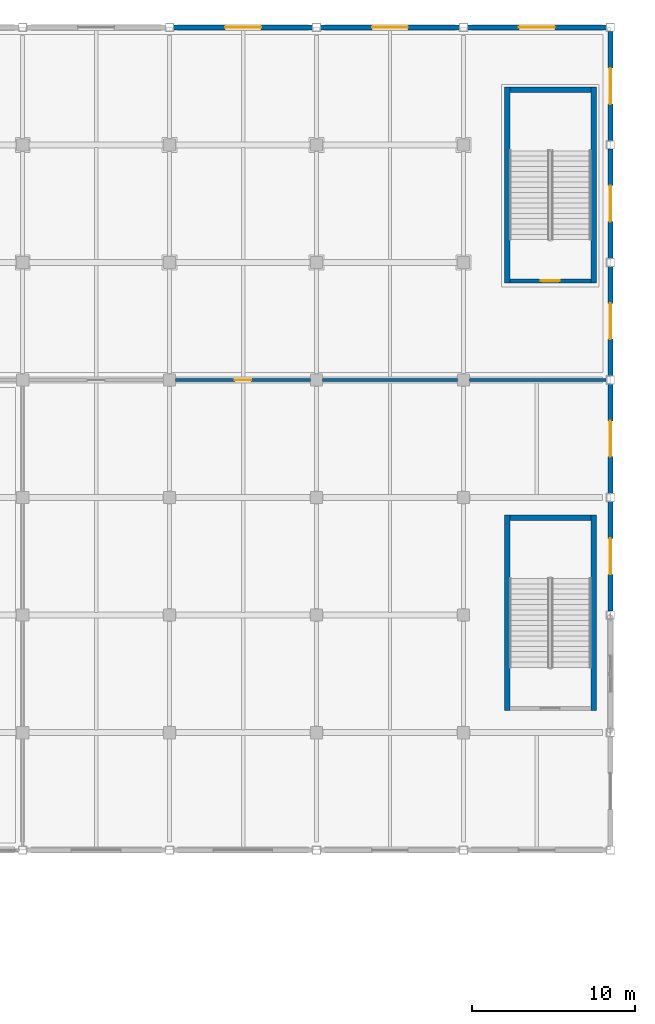
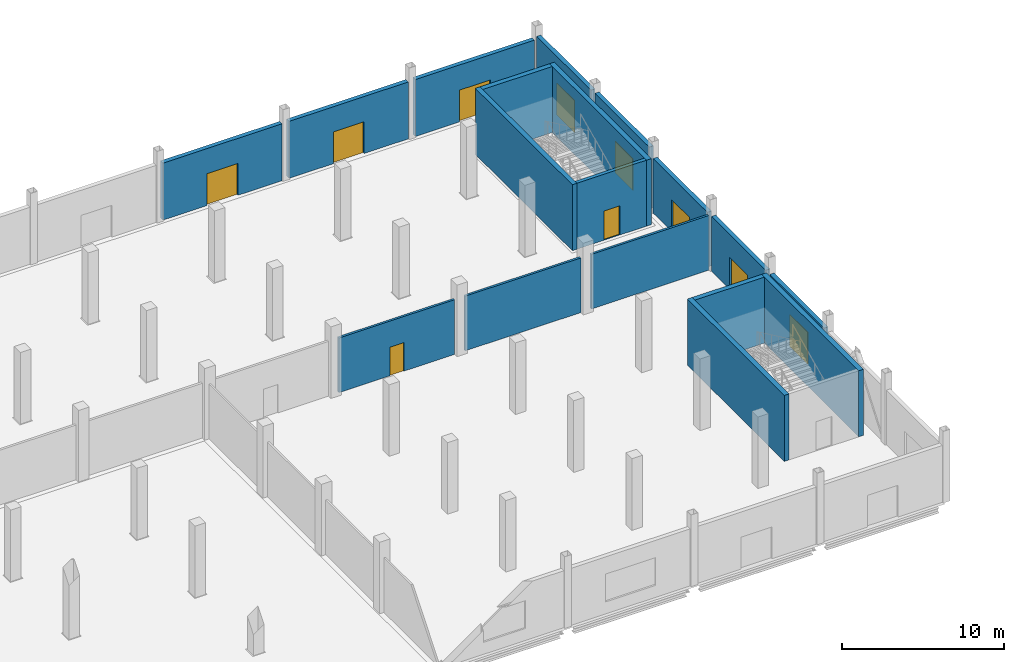
# One storey, part 100 of 137: 18 walls, 10 doors, 10 openings.
"""IFC4 building model written with IfcOpenShell, lengths in metres."""

import ifcopenshell
import ifcopenshell.guid

model = None  # the IFC model being written
_history = None  # IfcOwnerHistory: only IFC2X3 demands one
_inside = {}  # id of a spatial element -> (the spatial element, [elements in it])
_under = {}  # id of a project, library or spatial element -> (it, [spatial elements below it])
_declared = {}  # id of a project -> (the project, [libraries it declares])
_typed = {}  # id of a type object -> (the type object, [elements of that type])
_made_of = {}  # id of a material, layer set ... -> (it, [elements and type objects made of it])


def new_model(schema):
    """Start an empty IFC model of exactly this schema.

    Asked for "IFC4X3", IfcOpenShell would pick the latest addendum, in which some entities
    have other attributes; the version numbers below select the first issue.
    IFC2X3 requires an IfcOwnerHistory on every rooted entity: one is made here for all.
    """
    global model, _history
    if schema == "IFC4X3":
        model = ifcopenshell.file(schema_version=(4, 3, 0, 0))
    else:
        model = ifcopenshell.file(schema=schema)
    _inside.clear()
    _under.clear()
    _declared.clear()
    _typed.clear()
    _made_of.clear()
    _history = None
    if model.schema == "IFC2X3":
        org = make("IfcOrganization", Name="unknown")
        user = make(
            "IfcPersonAndOrganization",
            ThePerson=make("IfcPerson", FamilyName="unknown"),
            TheOrganization=org,
        )
        app = make(
            "IfcApplication",
            ApplicationDeveloper=org,
            Version="unknown",
            ApplicationFullName="unknown",
            ApplicationIdentifier="unknown",
        )
        _history = make(
            "IfcOwnerHistory",
            OwningUser=user,
            OwningApplication=app,
            ChangeAction="ADDED",
            CreationDate=0,
        )
    return model


def make(cls, **values):
    """One entity of the class cls with the attributes given. An attribute that is None is left unset."""
    return model.create_entity(
        cls, **{name: value for name, value in values.items() if value is not None}
    )


def rooted(cls, **values):
    """An entity with a GlobalId (a new one), such as an element, a storey or a relation."""
    return make(cls, GlobalId=ifcopenshell.guid.new(), OwnerHistory=_history, **values)


def si_unit(unit_type, name, prefix=None):
    """IfcSIUnit, for example si_unit("LENGTHUNIT", "METRE", prefix="MILLI")."""
    return make("IfcSIUnit", UnitType=unit_type, Prefix=prefix, Name=name)


def assignment(units):
    """IfcUnitAssignment: the units of a project."""
    return None if units is None else make("IfcUnitAssignment", Units=units)


def point(xyz):
    """IfcCartesianPoint."""
    return None if xyz is None else make("IfcCartesianPoint", Coordinates=xyz)


def direction(xyz):
    """IfcDirection."""
    return None if xyz is None else make("IfcDirection", DirectionRatios=xyz)


def frame(location, z_axis=None, x_axis=None):
    """IfcAxis2Placement3D, a coordinate frame: its origin and axes. An axis left out is left unset."""
    return make(
        "IfcAxis2Placement3D",
        Location=point(location),
        Axis=direction(z_axis),
        RefDirection=direction(x_axis),
    )


def frame_2d(location, x_axis=None):
    """IfcAxis2Placement2D, a coordinate frame in the plane: its origin and x axis."""
    return make(
        "IfcAxis2Placement2D", Location=point(location), RefDirection=direction(x_axis)
    )


def origin():
    """The frame at (0, 0, 0) with its axes left unset."""
    return frame((0.0, 0.0, 0.0))


def place(relative_to, where):
    """IfcLocalPlacement: puts the frame where relative to a parent placement (None: the world)."""
    return make(
        "IfcLocalPlacement", PlacementRelTo=relative_to, RelativePlacement=where
    )


def context(
    kind, dimensions, precision=None, world=None, true_north=None, identifier=None
):
    """IfcGeometricRepresentationContext, for example the 3D "Model" context."""
    return make(
        "IfcGeometricRepresentationContext",
        ContextIdentifier=identifier,
        ContextType=kind,
        CoordinateSpaceDimension=dimensions,
        Precision=precision,
        WorldCoordinateSystem=world,
        TrueNorth=true_north,
    )


def subcontext(parent, identifier, kind, view, scale=None):
    """IfcGeometricRepresentationSubContext, for example "Body" below "Model"."""
    return make(
        "IfcGeometricRepresentationSubContext",
        ContextIdentifier=identifier,
        ContextType=kind,
        ParentContext=parent,
        TargetScale=scale,
        TargetView=view,
    )


def project(units=None, contexts=None):
    """IfcProject with its units and contexts."""
    return rooted(
        "IfcProject",
        Name="project",
        RepresentationContexts=contexts,
        UnitsInContext=assignment(units),
    )


def spatial(cls, under=None, at=None, **own):
    """A site, building, storey or space (cls), placed at a placement, below another one or the project."""
    s = rooted(cls, ObjectPlacement=at, **own)
    if under is not None:
        _under.setdefault(under.id(), (under, []))[1].append(s)
    return s


def profile(cls, at=None, kind="AREA", **sizes):
    """A parametric profile (cls). Its sizes go by their IFC names, for example OverallWidth=200.0."""
    return make(cls, ProfileType=kind, Position=at, **sizes)


def rectangle(**sizes):
    """IfcRectangleProfileDef."""
    return profile("IfcRectangleProfileDef", **sizes)


def extrude(swept, where, along, depth):
    """IfcExtrudedAreaSolid: the profile swept, set in the frame where, extruded along a direction by depth."""
    return make(
        "IfcExtrudedAreaSolid",
        SweptArea=swept,
        Position=where,
        ExtrudedDirection=direction(along),
        Depth=depth,
    )


def shape(context_of_items, identifier, shape_type, items):
    """IfcShapeRepresentation: the items that make up one representation, for example the "Body"."""
    return make(
        "IfcShapeRepresentation",
        ContextOfItems=context_of_items,
        RepresentationIdentifier=identifier,
        RepresentationType=shape_type,
        Items=items,
    )


def material(Name=None, Category=None):
    """IfcMaterial."""
    return make("IfcMaterial", Name=Name, Category=Category)


def layer(
    of_material, thickness, ventilated=None, Name=None, Category=None, Priority=None
):
    """IfcMaterialLayer: one layer of a wall or slab, of a material (None: an air gap)."""
    return make(
        "IfcMaterialLayer",
        Material=of_material,
        LayerThickness=thickness,
        IsVentilated=ventilated,
        Name=Name,
        Category=Category,
        Priority=Priority,
    )


def layer_set(layers, Name=None):
    """IfcMaterialLayerSet."""
    return make("IfcMaterialLayerSet", MaterialLayers=layers, LayerSetName=Name)


def made_of(thing, what):
    """Note that an element or type object is made of a material, layer set ...; save() writes the relation."""
    if what is not None:
        _made_of.setdefault(what.id(), (what, []))[1].append(thing)
    return thing


def type_object(cls, material=None, **own):
    """A type object (cls), such as IfcWallType, which elements share."""
    return made_of(rooted(cls, **own), material)


def element(
    cls,
    number,
    at=None,
    inside=None,
    cuts=None,
    type_object=None,
    material=None,
    context=None,
    identifier="Body",
    shape_type=None,
    held_by="IfcProductDefinitionShape",
    body=None,
    shapes=None,
    **own,
):
    """One element of the class cls, such as IfcWall. Its Tag is "e" and its number.

    at: its placement. inside: the storey or other place that contains it. cuts: it is an
    opening in that element (IfcRelVoidsElement). A single representation is given by context,
    identifier, shape_type and body (its items); several are given by shapes. held_by: the class
    of the entity that holds the representations. save() writes the other relations.
    """
    e = rooted(cls, Tag="e%d" % number, ObjectPlacement=at, **own)
    if body is not None:
        shapes = [shape(context, identifier, shape_type, body)]
    if shapes is not None:
        e.Representation = make(held_by, Representations=shapes)
    if inside is not None:
        _inside.setdefault(inside.id(), (inside, []))[1].append(e)
    if cuts is not None:
        rooted(
            "IfcRelVoidsElement", RelatingBuildingElement=cuts, RelatedOpeningElement=e
        )
    if type_object is not None:
        _typed.setdefault(type_object.id(), (type_object, []))[1].append(e)
    return made_of(e, material)


def fill(opening, filler):
    """IfcRelFillsElement: the door or window that sits in an opening."""
    return rooted(
        "IfcRelFillsElement",
        RelatingOpeningElement=opening,
        RelatedBuildingElement=filler,
    )


def aggregate(whole, parts):
    """IfcRelAggregates: a whole, such as a stair, and the parts it consists of."""
    return rooted("IfcRelAggregates", RelatingObject=whole, RelatedObjects=parts)


def save(model, path):
    """Write the relations noted so far, then the file.

    IfcRelAggregates (storeys below a building ...), IfcRelContainedInSpatialStructure (elements
    in a storey), IfcRelDefinesByType, IfcRelAssociatesMaterial and IfcRelDeclares: one each for
    every whole, place, type object, material and project.
    """
    for whole, parts in _under.values():
        aggregate(whole, parts)
    for where, things in _inside.values():
        rooted(
            "IfcRelContainedInSpatialStructure",
            RelatedElements=things,
            RelatingStructure=where,
        )
    for kind, things in _typed.values():
        rooted("IfcRelDefinesByType", RelatedObjects=things, RelatingType=kind)
    for what, things in _made_of.values():
        rooted("IfcRelAssociatesMaterial", RelatedObjects=things, RelatingMaterial=what)
    for by, libraries in _declared.values():
        rooted("IfcRelDeclares", RelatingContext=by, RelatedDefinitions=libraries)
    model.write(path)


model = new_model("IFC4")

# Units and contexts
model_context = context("Model", 3, precision=1e-05, world=origin(), true_north=direction((0.0, 1.0)))
body_context = subcontext(model_context, "Body", "Model", "MODEL_VIEW")
ifc_project = project(units=[si_unit("LENGTHUNIT", "METRE"), si_unit("AREAUNIT", "SQUARE_METRE"), si_unit("VOLUMEUNIT", "CUBIC_METRE"), si_unit("PLANEANGLEUNIT", "RADIAN"), si_unit("MASSUNIT", "GRAM", prefix="KILO")], contexts=[model_context])

# Site, building, storey
site_placement = place(None, origin())
site = spatial("IfcSite", under=ifc_project, at=site_placement, CompositionType="ELEMENT")
building_placement = place(site_placement, origin())
building = spatial("IfcBuilding", under=site, at=building_placement, Name="Celestram Park Convention Centre", CompositionType="ELEMENT")
storey_placement = place(building_placement, origin())
storey = spatial("IfcBuildingStorey", under=building, at=storey_placement, Name="L00", CompositionType="ELEMENT", Elevation=0.0)

# Wall, opening, door
ifc_material_1 = material(Name="Concrete Block Masonry C25/30", Category="masonry")
ifc_layer_1 = layer(ifc_material_1, 0.25)
ifc_layer_set_1 = layer_set([ifc_layer_1], Name="Concrete Block Masonry C25/30")
wall_type_1 = type_object("IfcWallType", Name="ARC-WL-COR250", PredefinedType="STANDARD", material=ifc_layer_set_1)
wall_1_placement = place(storey_placement, frame((214.800048828125, 150.074951171875, 0.0), z_axis=(0.0, 0.0, 1.0), x_axis=(-1.0, 0.0, 0.0)))
wall_1 = element("IfcWall", 1, at=wall_1_placement, inside=storey, type_object=wall_type_1, Name="Core S07 stair entrance wall", PredefinedType="STANDARD", context=body_context, shape_type="SweptSolid", body=[
    extrude(rectangle(XDim=4.9599609375, YDim=0.25, at=frame_2d((2.47998046875, 0.0))), origin(), (0.0, 0.0, 1.0), 4.97998046875),
])
opening_1_placement = place(wall_1_placement, frame((1.905029296875, 0.0, 0.0)))
opening_1 = element("IfcOpeningElement", 2, at=opening_1_placement, cuts=wall_1, Name="Opening D-ST1", PredefinedType="OPENING", context=body_context, shape_type="SweptSolid", body=[
    extrude(rectangle(XDim=1.14990234375, YDim=2.199951171875, at=frame_2d((0.574951171875, 1.10009765625))), frame((0.0, 0.135009765625, 0.0), z_axis=(0.0, -1.0, 0.0), x_axis=(1.0, 0.0, 0.0)), (0.0, 0.0, 1.0), 0.27001953125),
])
ifc_material_2 = material(Name="Fire-Rated Hollow Metal Steel ASTM A653", Category="steel")
door_type_1 = type_object("IfcDoorType", Name="ARC-DR-ST115", OperationType="NOTDEFINED", PredefinedType="DOOR", material=ifc_material_2)
door_1_placement = place(opening_1_placement, origin())
door_1 = element("IfcDoor", 3, at=door_1_placement, inside=storey, type_object=door_type_1, Name="Exit stair ST-07 fire door", OperationType="SINGLE_SWING_LEFT", OverallHeight=2.199951171875, OverallWidth=1.14990234375, PredefinedType="DOOR", context=body_context, shape_type="SweptSolid", body=[
    extrude(rectangle(XDim=1.14990234375, YDim=2.199951171875, at=frame_2d((0.574951171875, 1.10009765625))), frame((0.0, 0.02490234375, 0.0), z_axis=(0.0, -1.0, 0.0), x_axis=(1.0, 0.0, 0.0)), (0.0, 0.0, 1.0), 0.050048828125),
])
fill(opening_1, door_1)

ifc_material_3 = material(Name="Precast Concrete C40/50", Category="concrete")
ifc_layer_2 = layer(ifc_material_3, 0.300048828125)
ifc_layer_set_2 = layer_set([ifc_layer_2], Name="Precast Concrete C40/50")
wall_type_2 = type_object("IfcWallType", Name="ARC-WL-EXT300", PredefinedType="STANDARD", material=ifc_layer_set_2)
wall_2_placement = place(storey_placement, frame((189.248046875, 165.60009765625, 0.0), z_axis=(0.0, 0.0, 1.0), x_axis=(1.0, 0.0, 0.0)))
wall_2 = element("IfcWall", 4, at=wall_2_placement, inside=storey, type_object=wall_type_2, Name="Bush-hammered precast exterior wall WL-L00-EW042", PredefinedType="STANDARD", context=body_context, shape_type="SweptSolid", body=[
    extrude(rectangle(XDim=8.50390625, YDim=0.300048828125, at=frame_2d((4.251953125, 0.0))), origin(), (0.0, 0.0, 1.0), 4.297119140625),
])
opening_2_placement = place(wall_2_placement, frame((3.152099609375, 0.0, 0.0)))
opening_2 = element("IfcOpeningElement", 5, at=opening_2_placement, cuts=wall_2, Name="Opening D-EX1", PredefinedType="OPENING", context=body_context, shape_type="SweptSolid", body=[
    extrude(rectangle(XDim=2.199951171875, YDim=2.39990234375, at=frame_2d((1.10009765625, 1.199951171875))), frame((0.0, 0.159912109375, 0.0), z_axis=(0.0, -1.0, 0.0), x_axis=(1.0, 0.0, 0.0)), (0.0, 0.0, 1.0), 0.320068359375),
])
ifc_material_4 = material(Name="Anodised Aluminium & Tempered Glass", Category="aluminium")
door_type_2 = type_object("IfcDoorType", Name="ARC-DR-EX2200", OperationType="NOTDEFINED", PredefinedType="DOOR", material=ifc_material_4)
door_2_placement = place(opening_2_placement, origin())
door_2 = element("IfcDoor", 6, at=door_2_placement, inside=storey, type_object=door_type_2, Name="Ground egress exit door DR-L00-EX41", OperationType="DOUBLE_DOOR_SINGLE_SWING", OverallHeight=2.39990234375, OverallWidth=2.199951171875, PredefinedType="DOOR", context=body_context, shape_type="SweptSolid", body=[
    extrude(rectangle(XDim=2.199951171875, YDim=2.39990234375, at=frame_2d((1.10009765625, 1.199951171875))), frame((0.0, 0.02490234375, 0.0), z_axis=(0.0, -1.0, 0.0), x_axis=(1.0, 0.0, 0.0)), (0.0, 0.0, 1.0), 0.050048828125),
])
fill(opening_2, door_2)

wall_3_placement = place(storey_placement, frame((198.248046875, 165.60009765625, 0.0), z_axis=(0.0, 0.0, 1.0), x_axis=(1.0, 0.0, 0.0)))
wall_3 = element("IfcWall", 7, at=wall_3_placement, inside=storey, type_object=wall_type_2, Name="Bush-hammered precast exterior wall WL-L00-EW043", PredefinedType="STANDARD", context=body_context, shape_type="SweptSolid", body=[
    extrude(rectangle(XDim=8.50390625, YDim=0.300048828125, at=frame_2d((4.251953125, 0.0))), origin(), (0.0, 0.0, 1.0), 4.297119140625),
])
opening_3_placement = place(wall_3_placement, frame((3.152099609375, 0.0, 0.0)))
opening_3 = element("IfcOpeningElement", 8, at=opening_3_placement, cuts=wall_3, Name="Opening D-EX1", PredefinedType="OPENING", context=body_context, shape_type="SweptSolid", body=[
    extrude(rectangle(XDim=2.199951171875, YDim=2.39990234375, at=frame_2d((1.10009765625, 1.199951171875))), frame((0.0, 0.159912109375, 0.0), z_axis=(0.0, -1.0, 0.0), x_axis=(1.0, 0.0, 0.0)), (0.0, 0.0, 1.0), 0.320068359375),
])
door_3_placement = place(opening_3_placement, origin())
door_3 = element("IfcDoor", 9, at=door_3_placement, inside=storey, type_object=door_type_2, Name="Ground egress exit door DR-L00-EX42", OperationType="DOUBLE_DOOR_SINGLE_SWING", OverallHeight=2.39990234375, OverallWidth=2.199951171875, PredefinedType="DOOR", context=body_context, shape_type="SweptSolid", body=[
    extrude(rectangle(XDim=2.199951171875, YDim=2.39990234375, at=frame_2d((1.10009765625, 1.199951171875))), frame((0.0, 0.02490234375, 0.0), z_axis=(0.0, -1.0, 0.0), x_axis=(1.0, 0.0, 0.0)), (0.0, 0.0, 1.0), 0.050048828125),
])
fill(opening_3, door_3)

wall_4_placement = place(storey_placement, frame((207.248046875, 165.60009765625, 0.0), z_axis=(0.0, 0.0, 1.0), x_axis=(1.0, 0.0, 0.0)))
wall_4 = element("IfcWall", 10, at=wall_4_placement, inside=storey, type_object=wall_type_2, Name="Bush-hammered precast exterior wall WL-L00-EW044", PredefinedType="STANDARD", context=body_context, shape_type="SweptSolid", body=[
    extrude(rectangle(XDim=8.50390625, YDim=0.300048828125, at=frame_2d((4.251953125, 0.0))), origin(), (0.0, 0.0, 1.0), 4.297119140625),
])
opening_4_placement = place(wall_4_placement, frame((3.152099609375, 0.0, 0.0)))
opening_4 = element("IfcOpeningElement", 11, at=opening_4_placement, cuts=wall_4, Name="Opening D-EX1", PredefinedType="OPENING", context=body_context, shape_type="SweptSolid", body=[
    extrude(rectangle(XDim=2.199951171875, YDim=2.39990234375, at=frame_2d((1.10009765625, 1.199951171875))), frame((0.0, 0.159912109375, 0.0), z_axis=(0.0, -1.0, 0.0), x_axis=(1.0, 0.0, 0.0)), (0.0, 0.0, 1.0), 0.320068359375),
])
door_4_placement = place(opening_4_placement, origin())
door_4 = element("IfcDoor", 12, at=door_4_placement, inside=storey, type_object=door_type_2, Name="Ground egress exit door DR-L00-EX43", OperationType="DOUBLE_DOOR_SINGLE_SWING", OverallHeight=2.39990234375, OverallWidth=2.199951171875, PredefinedType="DOOR", context=body_context, shape_type="SweptSolid", body=[
    extrude(rectangle(XDim=2.199951171875, YDim=2.39990234375, at=frame_2d((1.10009765625, 1.199951171875))), frame((0.0, 0.02490234375, 0.0), z_axis=(0.0, -1.0, 0.0), x_axis=(1.0, 0.0, 0.0)), (0.0, 0.0, 1.0), 0.050048828125),
])
fill(opening_4, door_4)

wall_5_placement = place(storey_placement, frame((216.0, 165.35205078125, 0.0), z_axis=(0.0, 0.0, 1.0), x_axis=(0.0, -1.0, 0.0)))
wall_5 = element("IfcWall", 13, at=wall_5_placement, inside=storey, type_object=wall_type_2, Name="Bush-hammered precast exterior wall WL-L00-EW045", PredefinedType="STANDARD", context=body_context, shape_type="SweptSolid", body=[
    extrude(rectangle(XDim=6.7041015625, YDim=0.300048828125, at=frame_2d((3.35205078125, 0.0))), origin(), (0.0, 0.0, 1.0), 4.60693359375),
])
opening_5_placement = place(wall_5_placement, frame((2.251953125, 0.0, 0.0)))
opening_5 = element("IfcOpeningElement", 14, at=opening_5_placement, cuts=wall_5, Name="Opening D-EX1", PredefinedType="OPENING", context=body_context, shape_type="SweptSolid", body=[
    extrude(rectangle(XDim=2.199951171875, YDim=2.39990234375, at=frame_2d((1.10009765625, 1.199951171875))), frame((0.0, 0.159912109375, 0.0), z_axis=(0.0, -1.0, 0.0), x_axis=(1.0, 0.0, 0.0)), (0.0, 0.0, 1.0), 0.320068359375),
])
door_5_placement = place(opening_5_placement, origin())
door_5 = element("IfcDoor", 15, at=door_5_placement, inside=storey, type_object=door_type_2, Name="Ground egress exit door DR-L00-EX44", OperationType="DOUBLE_DOOR_SINGLE_SWING", OverallHeight=2.39990234375, OverallWidth=2.199951171875, PredefinedType="DOOR", context=body_context, shape_type="SweptSolid", body=[
    extrude(rectangle(XDim=2.199951171875, YDim=2.39990234375, at=frame_2d((1.10009765625, 1.199951171875))), frame((0.0, 0.02490234375, 0.0), z_axis=(0.0, -1.0, 0.0), x_axis=(1.0, 0.0, 0.0)), (0.0, 0.0, 1.0), 0.050048828125),
])
fill(opening_5, door_5)

wall_6_placement = place(storey_placement, frame((216.0, 158.152099609375, 0.0), z_axis=(0.0, 0.0, 1.0), x_axis=(0.0, -1.0, 0.0)))
wall_6 = element("IfcWall", 16, at=wall_6_placement, inside=storey, type_object=wall_type_2, Name="Bush-hammered precast exterior wall WL-L00-EW046", PredefinedType="STANDARD", context=body_context, shape_type="SweptSolid", body=[
    extrude(rectangle(XDim=6.7041015625, YDim=0.300048828125, at=frame_2d((3.35205078125, 0.0))), origin(), (0.0, 0.0, 1.0), 4.679931640625),
])
opening_6_placement = place(wall_6_placement, frame((2.251953125, 0.0, 0.0)))
opening_6 = element("IfcOpeningElement", 17, at=opening_6_placement, cuts=wall_6, Name="Opening D-EX1", PredefinedType="OPENING", context=body_context, shape_type="SweptSolid", body=[
    extrude(rectangle(XDim=2.199951171875, YDim=2.39990234375, at=frame_2d((1.10009765625, 1.199951171875))), frame((0.0, 0.159912109375, 0.0), z_axis=(0.0, -1.0, 0.0), x_axis=(1.0, 0.0, 0.0)), (0.0, 0.0, 1.0), 0.320068359375),
])
door_6_placement = place(opening_6_placement, origin())
door_6 = element("IfcDoor", 18, at=door_6_placement, inside=storey, type_object=door_type_2, Name="Ground egress exit door DR-L00-EX45", OperationType="DOUBLE_DOOR_SINGLE_SWING", OverallHeight=2.39990234375, OverallWidth=2.199951171875, PredefinedType="DOOR", context=body_context, shape_type="SweptSolid", body=[
    extrude(rectangle(XDim=2.199951171875, YDim=2.39990234375, at=frame_2d((1.10009765625, 1.199951171875))), frame((0.0, 0.02490234375, 0.0), z_axis=(0.0, -1.0, 0.0), x_axis=(1.0, 0.0, 0.0)), (0.0, 0.0, 1.0), 0.050048828125),
])
fill(opening_6, door_6)

wall_7_placement = place(storey_placement, frame((216.0, 150.951904296875, 0.0), z_axis=(0.0, 0.0, 1.0), x_axis=(0.0, -1.0, 0.0)))
wall_7 = element("IfcWall", 19, at=wall_7_placement, inside=storey, type_object=wall_type_2, Name="Bush-hammered precast exterior wall WL-L00-EW047", PredefinedType="STANDARD", context=body_context, shape_type="SweptSolid", body=[
    extrude(rectangle(XDim=6.703857421875, YDim=0.300048828125, at=frame_2d((3.35205078125, 0.0))), origin(), (0.0, 0.0, 1.0), 4.1240234375),
])
opening_7_placement = place(wall_7_placement, frame((2.251953125, 0.0, 0.0)))
opening_7 = element("IfcOpeningElement", 20, at=opening_7_placement, cuts=wall_7, Name="Opening D-EX1", PredefinedType="OPENING", context=body_context, shape_type="SweptSolid", body=[
    extrude(rectangle(XDim=2.199951171875, YDim=2.39990234375, at=frame_2d((1.10009765625, 1.199951171875))), frame((0.0, 0.159912109375, 0.0), z_axis=(0.0, -1.0, 0.0), x_axis=(1.0, 0.0, 0.0)), (0.0, 0.0, 1.0), 0.320068359375),
])
door_7_placement = place(opening_7_placement, origin())
door_7 = element("IfcDoor", 21, at=door_7_placement, inside=storey, type_object=door_type_2, Name="Ground egress exit door DR-L00-EX46", OperationType="DOUBLE_DOOR_SINGLE_SWING", OverallHeight=2.39990234375, OverallWidth=2.199951171875, PredefinedType="DOOR", context=body_context, shape_type="SweptSolid", body=[
    extrude(rectangle(XDim=2.199951171875, YDim=2.39990234375, at=frame_2d((1.10009765625, 1.199951171875))), frame((0.0, 0.02490234375, 0.0), z_axis=(0.0, -1.0, 0.0), x_axis=(1.0, 0.0, 0.0)), (0.0, 0.0, 1.0), 0.050048828125),
])
fill(opening_7, door_7)

wall_8_placement = place(storey_placement, frame((216.0, 143.751953125, 0.0), z_axis=(0.0, 0.0, 1.0), x_axis=(0.0, -1.0, 0.0)))
wall_8 = element("IfcWall", 22, at=wall_8_placement, inside=storey, type_object=wall_type_2, Name="Bush-hammered precast exterior wall WL-L00-EW048", PredefinedType="STANDARD", context=body_context, shape_type="SweptSolid", body=[
    extrude(rectangle(XDim=6.703857421875, YDim=0.300048828125, at=frame_2d((3.35205078125, 0.0))), origin(), (0.0, 0.0, 1.0), 4.1240234375),
])
opening_8_placement = place(wall_8_placement, frame((2.251953125, 0.0, 0.0)))
opening_8 = element("IfcOpeningElement", 23, at=opening_8_placement, cuts=wall_8, Name="Opening D-EX1", PredefinedType="OPENING", context=body_context, shape_type="SweptSolid", body=[
    extrude(rectangle(XDim=2.199951171875, YDim=2.39990234375, at=frame_2d((1.10009765625, 1.199951171875))), frame((0.0, 0.159912109375, 0.0), z_axis=(0.0, -1.0, 0.0), x_axis=(1.0, 0.0, 0.0)), (0.0, 0.0, 1.0), 0.320068359375),
])
door_8_placement = place(opening_8_placement, origin())
door_8 = element("IfcDoor", 24, at=door_8_placement, inside=storey, type_object=door_type_2, Name="Ground egress exit door DR-L00-EX47", OperationType="DOUBLE_DOOR_SINGLE_SWING", OverallHeight=2.39990234375, OverallWidth=2.199951171875, PredefinedType="DOOR", context=body_context, shape_type="SweptSolid", body=[
    extrude(rectangle(XDim=2.199951171875, YDim=2.39990234375, at=frame_2d((1.10009765625, 1.199951171875))), frame((0.0, 0.02490234375, 0.0), z_axis=(0.0, -1.0, 0.0), x_axis=(1.0, 0.0, 0.0)), (0.0, 0.0, 1.0), 0.050048828125),
])
fill(opening_8, door_8)

wall_9_placement = place(storey_placement, frame((216.0, 136.552001953125, 0.0), z_axis=(0.0, 0.0, 1.0), x_axis=(0.0, -1.0, 0.0)))
wall_9 = element("IfcWall", 25, at=wall_9_placement, inside=storey, type_object=wall_type_2, Name="Bush-hammered precast exterior wall WL-L00-EW049", PredefinedType="STANDARD", context=body_context, shape_type="SweptSolid", body=[
    extrude(rectangle(XDim=6.7041015625, YDim=0.300048828125, at=frame_2d((3.35205078125, 0.0))), origin(), (0.0, 0.0, 1.0), 4.1240234375),
])
opening_9_placement = place(wall_9_placement, frame((2.251953125, 0.0, 0.0)))
opening_9 = element("IfcOpeningElement", 26, at=opening_9_placement, cuts=wall_9, Name="Opening D-EX1", PredefinedType="OPENING", context=body_context, shape_type="SweptSolid", body=[
    extrude(rectangle(XDim=2.199951171875, YDim=2.39990234375, at=frame_2d((1.10009765625, 1.199951171875))), frame((0.0, 0.159912109375, 0.0), z_axis=(0.0, -1.0, 0.0), x_axis=(1.0, 0.0, 0.0)), (0.0, 0.0, 1.0), 0.320068359375),
])
door_9_placement = place(opening_9_placement, origin())
door_9 = element("IfcDoor", 27, at=door_9_placement, inside=storey, type_object=door_type_2, Name="Ground egress exit door DR-L00-EX48", OperationType="DOUBLE_DOOR_SINGLE_SWING", OverallHeight=2.39990234375, OverallWidth=2.199951171875, PredefinedType="DOOR", context=body_context, shape_type="SweptSolid", body=[
    extrude(rectangle(XDim=2.199951171875, YDim=2.39990234375, at=frame_2d((1.10009765625, 1.199951171875))), frame((0.0, 0.02490234375, 0.0), z_axis=(0.0, -1.0, 0.0), x_axis=(1.0, 0.0, 0.0)), (0.0, 0.0, 1.0), 0.050048828125),
])
fill(opening_9, door_9)

ifc_material_5 = material(Name="Acoustic Gypsum & Steel Stud 160 mm", Category="steel")
ifc_layer_3 = layer(ifc_material_5, 0.159912109375)
ifc_layer_set_3 = layer_set([ifc_layer_3], Name="Acoustic Gypsum & Steel Stud 160 mm")
wall_type_3 = type_object("IfcWallType", Name="ARC-WL-PRT160", PredefinedType="PARTITIONING", material=ifc_layer_set_3)
wall_10_placement = place(storey_placement, frame((189.373046875, 144.0, 0.0), z_axis=(0.0, 0.0, 1.0), x_axis=(1.0, 0.0, 0.0)))
wall_10 = element("IfcWall", 28, at=wall_10_placement, inside=storey, type_object=wall_type_3, Name="Interior partition WL-L00-IN0603", PredefinedType="PARTITIONING", context=body_context, shape_type="SweptSolid", body=[
    extrude(rectangle(XDim=8.25390625, YDim=0.159912109375, at=frame_2d((4.126953125, 0.0))), origin(), (0.0, 0.0, 1.0), 4.1240234375),
])
opening_10_placement = place(wall_10_placement, frame((3.626953125, 0.0, 0.0)))
opening_10 = element("IfcOpeningElement", 29, at=opening_10_placement, cuts=wall_10, Name="Opening D-07", PredefinedType="OPENING", context=body_context, shape_type="SweptSolid", body=[
    extrude(rectangle(XDim=1.0, YDim=2.14990234375, at=frame_2d((0.5, 1.074951171875))), frame((0.0, 0.08984375, 0.0), z_axis=(0.0, -1.0, 0.0), x_axis=(1.0, 0.0, 0.0)), (0.0, 0.0, 1.0), 0.179931640625),
])
ifc_material_6 = material(Name="Solid Core White Oak Single Door", Category="wood")
door_type_3 = type_object("IfcDoorType", Name="ARC-DR-RM100", OperationType="NOTDEFINED", PredefinedType="DOOR", material=ifc_material_6)
door_10_placement = place(opening_10_placement, origin())
door_10 = element("IfcDoor", 30, at=door_10_placement, inside=storey, type_object=door_type_3, Name="Broadcast Control Studio entrance door", OperationType="SINGLE_SWING_LEFT", OverallHeight=2.14990234375, OverallWidth=1.0, PredefinedType="DOOR", context=body_context, shape_type="SweptSolid", body=[
    extrude(rectangle(XDim=1.0, YDim=2.14990234375, at=frame_2d((0.5, 1.074951171875))), frame((0.0, 0.02490234375, 0.0), z_axis=(0.0, -1.0, 0.0), x_axis=(1.0, 0.0, 0.0)), (0.0, 0.0, 1.0), 0.050048828125),
])
fill(opening_10, door_10)

# Walls
wall_11_placement = place(storey_placement, frame((198.373046875, 144.0, 0.0), z_axis=(0.0, 0.0, 1.0), x_axis=(1.0, 0.0, 0.0)))
element("IfcWall", 31, at=wall_11_placement, inside=storey, type_object=wall_type_3, Name="Interior partition WL-L00-IN0604", PredefinedType="PARTITIONING", context=body_context, shape_type="SweptSolid", body=[
    extrude(rectangle(XDim=8.25390625, YDim=0.159912109375, at=frame_2d((4.126953125, 0.0))), origin(), (0.0, 0.0, 1.0), 4.1240234375),
])
wall_12_placement = place(storey_placement, frame((207.373046875, 144.0, 0.0), z_axis=(0.0, 0.0, 1.0), x_axis=(1.0, 0.0, 0.0)))
element("IfcWall", 32, at=wall_12_placement, inside=storey, type_object=wall_type_3, Name="Interior partition WL-L00-IN0605", PredefinedType="PARTITIONING", context=body_context, shape_type="SweptSolid", body=[
    extrude(rectangle(XDim=8.37890625, YDim=0.159912109375, at=frame_2d((4.189453125, 0.0))), origin(), (0.0, 0.0, 1.0), 4.1240234375),
])
ifc_material_7 = material(Name="Concrete C40/50", Category="concrete")
ifc_layer_4 = layer(ifc_material_7, 0.340087890625)
ifc_layer_set_4 = layer_set([ifc_layer_4], Name="Concrete C40/50")
wall_type_4 = type_object("IfcWallType", Name="STR-WL-SHR340", PredefinedType="SHEAR", material=ifc_layer_set_4)
for number, where, z_axis, x_axis, name in (
    (33, (209.669921875, 149.949951171875, 0.0), (0.0, 0.0, 1.0), (0.0, 1.0, 0.0), "Core S07 shear wall L"),
    (34, (214.969970703125, 161.93994140625, 0.0), (0.0, 0.0, 1.0), (0.0, -1.0, 0.0), "Core S07 shear wall R"),
):
    element("IfcWall", number, at=place(storey_placement, frame(where, z_axis=z_axis, x_axis=x_axis)), inside=storey, type_object=wall_type_4, Name=name, PredefinedType="SHEAR", context=body_context, shape_type="SweptSolid", body=[
        extrude(rectangle(XDim=11.989990234375, YDim=0.340087890625, at=frame_2d((5.9951171875, 0.0))), origin(), (0.0, 0.0, 1.0), 4.97998046875),
    ])
wall_13_placement = place(storey_placement, frame((209.840087890625, 161.77001953125, 0.0), z_axis=(0.0, 0.0, 1.0), x_axis=(1.0, 0.0, 0.0)))
element("IfcWall", 35, at=wall_13_placement, inside=storey, type_object=wall_type_4, Name="Core S07 shear wall F", PredefinedType="SHEAR", context=body_context, shape_type="SweptSolid", body=[
    extrude(rectangle(XDim=4.9599609375, YDim=0.340087890625, at=frame_2d((2.47998046875, 0.0))), origin(), (0.0, 0.0, 1.0), 4.97998046875),
])
for number, where, z_axis, x_axis, name in (
    (36, (209.669921875, 123.75, 0.0), (0.0, 0.0, 1.0), (0.0, 1.0, 0.0), "Core S08 shear wall L"),
    (37, (214.969970703125, 135.739990234375, 0.0), (0.0, 0.0, 1.0), (0.0, -1.0, 0.0), "Core S08 shear wall R"),
):
    element("IfcWall", number, at=place(storey_placement, frame(where, z_axis=z_axis, x_axis=x_axis)), inside=storey, type_object=wall_type_4, Name=name, PredefinedType="SHEAR", context=body_context, shape_type="SweptSolid", body=[
        extrude(rectangle(XDim=11.989990234375, YDim=0.340087890625, at=frame_2d((5.9951171875, 0.0))), origin(), (0.0, 0.0, 1.0), 4.97998046875),
    ])
wall_14_placement = place(storey_placement, frame((209.840087890625, 135.570068359375, 0.0), z_axis=(0.0, 0.0, 1.0), x_axis=(1.0, 0.0, 0.0)))
element("IfcWall", 38, at=wall_14_placement, inside=storey, type_object=wall_type_4, Name="Core S08 shear wall F", PredefinedType="SHEAR", context=body_context, shape_type="SweptSolid", body=[
    extrude(rectangle(XDim=4.9599609375, YDim=0.340087890625, at=frame_2d((2.47998046875, 0.0))), origin(), (0.0, 0.0, 1.0), 4.97998046875),
])

save(model, "model.ifc")
